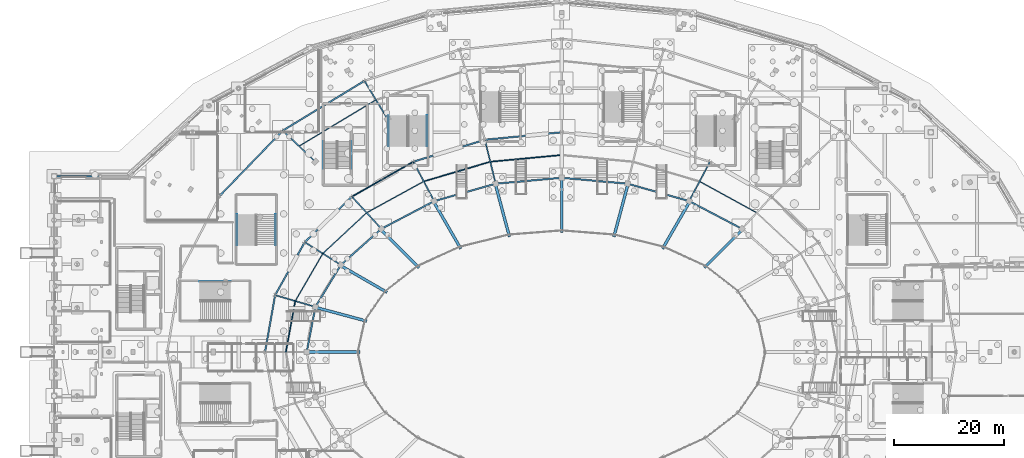
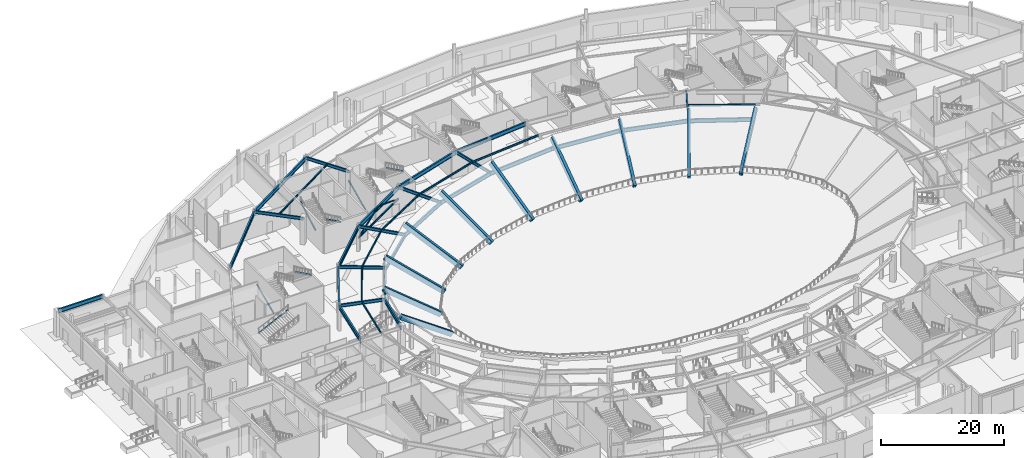
# One storey, part 35 of 93: 45 beams, 9 members.
"""IFC4 building model written with IfcOpenShell, lengths in metres."""

from ifc_helpers import new_model, si_unit, direction, frame, origin, origin_2d, place, context, subcontext, project, spatial, rectangle, hollow_circle, i_section, extrude, material, material_profile, profile_set, type_object, element, save


model = new_model("IFC4")

# Units and contexts
model_context = context("Model", 3, precision=1e-05, world=origin(), true_north=direction((0.0, 1.0)))
body_context = subcontext(model_context, "Body", "Model", "MODEL_VIEW")
ifc_project = project(units=[si_unit("LENGTHUNIT", "METRE"), si_unit("AREAUNIT", "SQUARE_METRE"), si_unit("VOLUMEUNIT", "CUBIC_METRE"), si_unit("PLANEANGLEUNIT", "RADIAN"), si_unit("MASSUNIT", "GRAM", prefix="KILO")], contexts=[model_context])

# Site, building, storey
site_placement = place(None, origin())
site = spatial("IfcSite", under=ifc_project, at=site_placement, CompositionType="ELEMENT")
building_placement = place(site_placement, origin())
building = spatial("IfcBuilding", under=site, at=building_placement, Name="Kalgoora Escarpment Arena", CompositionType="ELEMENT")
storey_placement = place(building_placement, origin())
storey = spatial("IfcBuildingStorey", under=building, at=storey_placement, Name="L00", CompositionType="ELEMENT", Elevation=0.0)

# Beams
ifc_material_1 = material(Name="Structural steel AS/NZS 3679 (300 MPa)", Category="steel")
ifc_material_profile_1 = material_profile(ifc_material_1, i_section(OverallWidth=0.1708984375, OverallDepth=0.35205078125, WebThickness=0.0068359375, FlangeThickness=0.009765625, at=origin_2d()))
ifc_profile_set_1 = profile_set([ifc_material_profile_1], Name="Structural steel AS/NZS 3679 (300 MPa)")
beam_type_1 = type_object("IfcBeamType", Name="BM-BEAM-360UB44.7", PredefinedType="BEAM", material=ifc_profile_set_1)
beam_1_placement = place(storey_placement, frame((65.39990234375, 98.64111328125, 2.52392578125), z_axis=(-0.869369098708, -0.494163303182, 0.0), x_axis=(0.494163303182, -0.869369098708, 0.0)))
element("IfcBeam", 1, at=beam_1_placement, inside=storey, type_object=beam_type_1, Name="L00 Portal brace collector beam 360UB44.7", PredefinedType="BEAM", context=body_context, shape_type="SweptSolid", body=[
    extrude(i_section(OverallWidth=0.1708984375, OverallDepth=0.35205078125, WebThickness=0.0068359375, FlangeThickness=0.009765625, at=origin_2d()), origin(), (0.0, 0.0, 1.0), 12.864013671875),
])
ifc_material_2 = material(Name="Structural steel AS/NZS 3679 (300 MPa)", Category="steel")
ifc_material_profile_2 = material_profile(ifc_material_2, i_section(OverallWidth=0.172119140625, OverallDepth=0.35888671875, WebThickness=0.008056640625, FlangeThickness=0.012939453125, at=origin_2d()))
ifc_profile_set_2 = profile_set([ifc_material_profile_2], Name="Structural steel AS/NZS 3679 (300 MPa)")
beam_type_2 = type_object("IfcBeamType", Name="BM-BEAM-360UB56.7", PredefinedType="BEAM", material=ifc_profile_set_2)
beam_2_placement = place(storey_placement, frame((127.900390625, 89.35693359375, 4.9404296875), z_axis=(-0.87693223227, 0.480614044744, 0.0), x_axis=(-0.480614044744, -0.87693223227, 0.0)))
element("IfcBeam", 2, at=beam_2_placement, inside=storey, type_object=beam_type_2, Name="L00 Concourse secondary ring beam 360UB56.7", PredefinedType="BEAM", context=body_context, shape_type="SweptSolid", body=[
    extrude(i_section(OverallWidth=0.172119140625, OverallDepth=0.35888671875, WebThickness=0.008056640625, FlangeThickness=0.012939453125, at=origin_2d()), origin(), (0.0, 0.0, 1.0), 11.857177734375),
])
beam_3_placement = place(storey_placement, frame((92.39990234375, 99.860107421875, 4.9404296875), z_axis=(-0.995605767353, -0.093643771891, 0.0), x_axis=(0.093643771891, -0.995605767353, 0.0)))
element("IfcBeam", 3, at=beam_3_placement, inside=storey, type_object=beam_type_2, Name="L00 Concourse secondary ring beam 360UB56.7", PredefinedType="BEAM", context=body_context, shape_type="SweptSolid", body=[
    extrude(i_section(OverallWidth=0.172119140625, OverallDepth=0.35888671875, WebThickness=0.008056640625, FlangeThickness=0.012939453125, at=origin_2d()), origin(), (0.0, 0.0, 1.0), 13.05126953125),
])
beam_4_placement = place(storey_placement, frame((79.406005859375, 98.637939453125, 4.950439453125), z_axis=(-0.958914478104, -0.283695300775, 0.0), x_axis=(0.283695300775, -0.958914478104, 0.0)))
element("IfcBeam", 4, at=beam_4_placement, inside=storey, type_object=beam_type_2, Name="L00 Concourse secondary ring beam 360UB56.7", PredefinedType="BEAM", context=body_context, shape_type="SweptSolid", body=[
    extrude(i_section(OverallWidth=0.172119140625, OverallDepth=0.35888671875, WebThickness=0.008056640625, FlangeThickness=0.012939453125, at=origin_2d()), origin(), (0.0, 0.0, 1.0), 12.627197265625),
])
beam_5_placement = place(storey_placement, frame((67.297607421875, 95.0556640625, 4.950439453125), z_axis=(-0.87693223227, -0.480614044744, 0.0), x_axis=(0.480614044744, -0.87693223227, 0.0)))
element("IfcBeam", 5, at=beam_5_placement, inside=storey, type_object=beam_type_2, Name="L00 Concourse secondary ring beam 360UB56.7", PredefinedType="BEAM", context=body_context, shape_type="SweptSolid", body=[
    extrude(i_section(OverallWidth=0.172119140625, OverallDepth=0.35888671875, WebThickness=0.008056640625, FlangeThickness=0.012939453125, at=origin_2d()), origin(), (0.0, 0.0, 1.0), 11.857177734375),
])
beam_6_placement = place(storey_placement, frame((58.60009765625, 109.8994140625, 4.950439453125), z_axis=(-0.856889805315, -0.515499623227, 0.0), x_axis=(0.515499623227, -0.856889805315, 0.0)))
element("IfcBeam", 6, at=beam_6_placement, inside=storey, type_object=beam_type_2, Name="L00 Concourse secondary ring beam 360UB56.7", PredefinedType="BEAM", context=body_context, shape_type="SweptSolid", body=[
    extrude(i_section(OverallWidth=0.172119140625, OverallDepth=0.35888671875, WebThickness=0.008056640625, FlangeThickness=0.012939453125, at=origin_2d()), origin(), (0.0, 0.0, 1.0), 16.338623046875),
])
beam_7_placement = place(storey_placement, frame((56.899658203125, 89.35693359375, 4.950439453125), z_axis=(-0.731952134081, -0.681356054801, 0.0), x_axis=(0.681356054801, -0.731952134081, 0.0)))
element("IfcBeam", 7, at=beam_7_placement, inside=storey, type_object=beam_type_2, Name="L00 Concourse secondary ring beam 360UB56.7", PredefinedType="BEAM", context=body_context, shape_type="SweptSolid", body=[
    extrude(i_section(OverallWidth=0.172119140625, OverallDepth=0.35888671875, WebThickness=0.008056640625, FlangeThickness=0.012939453125, at=origin_2d()), origin(), (0.0, 0.0, 1.0), 10.900390625),
])
beam_8_placement = place(storey_placement, frame((48.921142578125, 81.929931640625, 4.950439453125), z_axis=(-0.501654133754, -0.865068280593, 0.0), x_axis=(0.865068280593, -0.501654133754, 0.0)))
element("IfcBeam", 8, at=beam_8_placement, inside=storey, type_object=beam_type_2, Name="L00 Concourse secondary ring beam 360UB56.7", PredefinedType="BEAM", context=body_context, shape_type="SweptSolid", body=[
    extrude(i_section(OverallWidth=0.172119140625, OverallDepth=0.35888671875, WebThickness=0.008056640625, FlangeThickness=0.012939453125, at=origin_2d()), origin(), (0.0, 0.0, 1.0), 9.997802734375),
])
beam_9_placement = place(storey_placement, frame((43.90576171875, 73.28125, 4.950439453125), z_axis=(-0.181263825147, -0.983434505035, 0.0), x_axis=(0.983434505035, -0.181263825147, 0.0)))
element("IfcBeam", 9, at=beam_9_placement, inside=storey, type_object=beam_type_2, Name="L00 Concourse secondary ring beam 360UB56.7", PredefinedType="BEAM", context=body_context, shape_type="SweptSolid", body=[
    extrude(i_section(OverallWidth=0.172119140625, OverallDepth=0.35888671875, WebThickness=0.008056640625, FlangeThickness=0.012939453125, at=origin_2d()), origin(), (0.0, 0.0, 1.0), 9.4375),
])
ifc_material_3 = material(Name="Structural steel AS/NZS 3679 (300 MPa)", Category="steel")
ifc_material_profile_3 = material_profile(ifc_material_3, i_section(OverallWidth=0.22900390625, OverallDepth=0.612060546875, WebThickness=0.011962890625, FlangeThickness=0.01953125, at=origin_2d()))
ifc_profile_set_3 = profile_set([ifc_material_profile_3], Name="Structural steel AS/NZS 3679 (300 MPa)")
beam_type_3 = type_object("IfcBeamType", Name="BM-GIRDER-610UB125", PredefinedType="USERDEFINED", material=ifc_profile_set_3)
beam_10_placement = place(storey_placement, frame((115.60498046875, 91.47021484375, 4.81396484375), z_axis=(0.467749454329, 0.883861102196, 0.0), x_axis=(-0.883861102196, 0.467749454329, 0.0)))
element("IfcBeam", 10, at=beam_10_placement, inside=storey, type_object=beam_type_3, Name="L00 Radial concourse girder 610UB125", ObjectType="GIRDER", PredefinedType="USERDEFINED", context=body_context, shape_type="SweptSolid", body=[
    extrude(i_section(OverallWidth=0.22900390625, OverallDepth=0.612060546875, WebThickness=0.011962890625, FlangeThickness=0.01953125, at=origin_2d()), origin(), (0.0, 0.0, 1.0), 8.113037109375),
])
beam_11_placement = place(storey_placement, frame((80.38818359375, 94.63916015625, 4.823974609375), z_axis=(-0.238522773309, 0.971136904156, 0.0), x_axis=(-0.971136904156, -0.238522773309, 0.0)))
element("IfcBeam", 11, at=beam_11_placement, inside=storey, type_object=beam_type_3, Name="L00 Radial concourse girder 610UB125", ObjectType="GIRDER", PredefinedType="USERDEFINED", context=body_context, shape_type="SweptSolid", body=[
    extrude(i_section(OverallWidth=0.22900390625, OverallDepth=0.612060546875, WebThickness=0.011962890625, FlangeThickness=0.01953125, at=origin_2d()), origin(), (0.0, 0.0, 1.0), 8.235595703125),
])
beam_12_placement = place(storey_placement, frame((69.195068359375, 91.47021484375, 4.823974609375), z_axis=(-0.467772961987, 0.883848661273, 0.0), x_axis=(-0.883848661273, -0.467772961987, 0.0)))
element("IfcBeam", 12, at=beam_12_placement, inside=storey, type_object=beam_type_3, Name="L00 Radial concourse girder 610UB125", ObjectType="GIRDER", PredefinedType="USERDEFINED", context=body_context, shape_type="SweptSolid", body=[
    extrude(i_section(OverallWidth=0.22900390625, OverallDepth=0.612060546875, WebThickness=0.011962890625, FlangeThickness=0.01953125, at=origin_2d()), origin(), (0.0, 0.0, 1.0), 8.11328125),
])
beam_13_placement = place(storey_placement, frame((60.699951171875, 106.435302734375, 4.823974609375), z_axis=(-0.518407902139, 0.85513346736, 0.0), x_axis=(-0.85513346736, -0.518407902139, 0.0)))
element("IfcBeam", 13, at=beam_13_placement, inside=storey, type_object=beam_type_3, Name="L00 Radial concourse girder 610UB125", ObjectType="GIRDER", PredefinedType="USERDEFINED", context=body_context, shape_type="SweptSolid", body=[
    extrude(i_section(OverallWidth=0.22900390625, OverallDepth=0.612060546875, WebThickness=0.011962890625, FlangeThickness=0.01953125, at=origin_2d()), origin(), (0.0, 0.0, 1.0), 8.1015625),
])
beam_14_placement = place(storey_placement, frame((59.583251953125, 86.429443359375, 4.823974609375), z_axis=(-0.675731588221, 0.737147760412, 0.0), x_axis=(-0.737147760412, -0.675731588221, 0.0)))
element("IfcBeam", 14, at=beam_14_placement, inside=storey, type_object=beam_type_3, Name="L00 Radial concourse girder 610UB125", ObjectType="GIRDER", PredefinedType="USERDEFINED", context=body_context, shape_type="SweptSolid", body=[
    extrude(i_section(OverallWidth=0.22900390625, OverallDepth=0.612060546875, WebThickness=0.011962890625, FlangeThickness=0.01953125, at=origin_2d()), origin(), (0.0, 0.0, 1.0), 7.9423828125),
])
beam_15_placement = place(storey_placement, frame((47.5693359375, 98.648193359375, 4.823974609375), z_axis=(-0.724130144905, 0.689663347757, 0.0), x_axis=(-0.689663347757, -0.724130144905, 0.0)))
element("IfcBeam", 15, at=beam_15_placement, inside=storey, type_object=beam_type_3, Name="L00 Radial concourse girder 610UB125", ObjectType="GIRDER", PredefinedType="USERDEFINED", context=body_context, shape_type="SweptSolid", body=[
    extrude(i_section(OverallWidth=0.22900390625, OverallDepth=0.612060546875, WebThickness=0.011962890625, FlangeThickness=0.01953125, at=origin_2d()), origin(), (0.0, 0.0, 1.0), 8.20263671875),
])
beam_16_placement = place(storey_placement, frame((52.207763671875, 79.860107421875, 4.823974609375), z_axis=(-0.846164080711, 0.532922460133, 0.0), x_axis=(-0.532922460133, -0.846164080711, 0.0)))
element("IfcBeam", 16, at=beam_16_placement, inside=storey, type_object=beam_type_3, Name="L00 Radial concourse girder 610UB125", ObjectType="GIRDER", PredefinedType="USERDEFINED", context=body_context, shape_type="SweptSolid", body=[
    extrude(i_section(OverallWidth=0.22900390625, OverallDepth=0.612060546875, WebThickness=0.011962890625, FlangeThickness=0.01953125, at=origin_2d()), origin(), (0.0, 0.0, 1.0), 7.768310546875),
])
beam_17_placement = place(storey_placement, frame((47.5712890625, 72.209716796875, 4.823974609375), z_axis=(-0.959831929539, 0.280575599504, 0.0), x_axis=(-0.280575599504, -0.959831929539, 0.0)))
element("IfcBeam", 17, at=beam_17_placement, inside=storey, type_object=beam_type_3, Name="L00 Radial concourse girder 610UB125", ObjectType="GIRDER", PredefinedType="USERDEFINED", context=body_context, shape_type="SweptSolid", body=[
    extrude(i_section(OverallWidth=0.22900390625, OverallDepth=0.612060546875, WebThickness=0.011962890625, FlangeThickness=0.01953125, at=origin_2d()), origin(), (0.0, 0.0, 1.0), 7.63818359375),
])
ifc_material_4 = material(Name="Structural steel AS/NZS 3679 (300 MPa)", Category="steel")
ifc_material_profile_4 = material_profile(ifc_material_4, i_section(OverallWidth=0.27490234375, OverallDepth=0.800048828125, WebThickness=0.011962890625, FlangeThickness=0.02197265625, at=origin_2d()))
ifc_profile_set_4 = profile_set([ifc_material_profile_4], Name="Structural steel AS/NZS 3679 (300 MPa)")
beam_type_4 = type_object("IfcBeamType", Name="BM-GIRDER-800WB168", PredefinedType="USERDEFINED", material=ifc_profile_set_4)
beam_18_placement = place(storey_placement, frame((125.216796875, 86.429443359375, 4.719970703125), z_axis=(-0.88560380316, 0.464441496669, 0.0), x_axis=(-0.464441496669, -0.88560380316, 0.0)))
element("IfcBeam", 18, at=beam_18_placement, inside=storey, type_object=beam_type_4, Name="L00 Circumferential concourse girder RMID 800WB168", ObjectType="GIRDER", PredefinedType="USERDEFINED", context=body_context, shape_type="SweptSolid", body=[
    extrude(i_section(OverallWidth=0.27490234375, OverallDepth=0.800048828125, WebThickness=0.011962890625, FlangeThickness=0.02197265625, at=origin_2d()), origin(), (0.0, 0.0, 1.0), 10.853515625),
])
beam_19_placement = place(storey_placement, frame((115.60498046875, 91.47021484375, 4.719970703125), z_axis=(-0.962181658824, 0.272408618482, 0.0), x_axis=(-0.272408618482, -0.962181658824, 0.0)))
element("IfcBeam", 19, at=beam_19_placement, inside=storey, type_object=beam_type_4, Name="L00 Circumferential concourse girder RMID 800WB168", ObjectType="GIRDER", PredefinedType="USERDEFINED", context=body_context, shape_type="SweptSolid", body=[
    extrude(i_section(OverallWidth=0.27490234375, OverallDepth=0.800048828125, WebThickness=0.011962890625, FlangeThickness=0.02197265625, at=origin_2d()), origin(), (0.0, 0.0, 1.0), 11.633056640625),
])
beam_20_placement = place(storey_placement, frame((104.411865234375, 94.63916015625, 4.719970703125), z_axis=(-0.995976408486, 0.089615811881, 0.0), x_axis=(-0.089615811881, -0.995976408486, 0.0)))
element("IfcBeam", 20, at=beam_20_placement, inside=storey, type_object=beam_type_4, Name="L00 Circumferential concourse girder RMID 800WB168", ObjectType="GIRDER", PredefinedType="USERDEFINED", context=body_context, shape_type="SweptSolid", body=[
    extrude(i_section(OverallWidth=0.27490234375, OverallDepth=0.800048828125, WebThickness=0.011962890625, FlangeThickness=0.02197265625, at=origin_2d()), origin(), (0.0, 0.0, 1.0), 12.060546875),
])
beam_21_placement = place(storey_placement, frame((92.39990234375, 95.719970703125, 4.719970703125), z_axis=(-0.99597624591, -0.089617618712, 0.0), x_axis=(0.089617618712, -0.99597624591, 0.0)))
element("IfcBeam", 21, at=beam_21_placement, inside=storey, type_object=beam_type_4, Name="L00 Circumferential concourse girder RMID 800WB168", ObjectType="GIRDER", PredefinedType="USERDEFINED", context=body_context, shape_type="SweptSolid", body=[
    extrude(i_section(OverallWidth=0.27490234375, OverallDepth=0.800048828125, WebThickness=0.011962890625, FlangeThickness=0.02197265625, at=origin_2d()), origin(), (0.0, 0.0, 1.0), 12.060302734375),
])
beam_22_placement = place(storey_placement, frame((92.39990234375, 104.0, 4.719970703125), z_axis=(-0.995277952766, -0.097065940158, 0.0), x_axis=(0.097065940158, -0.995277952766, 0.0)))
element("IfcBeam", 22, at=beam_22_placement, inside=storey, type_object=beam_type_4, Name="L00 Circumferential concourse girder RMAIN 800WB168", ObjectType="GIRDER", PredefinedType="USERDEFINED", context=body_context, shape_type="SweptSolid", body=[
    extrude(i_section(OverallWidth=0.27490234375, OverallDepth=0.800048828125, WebThickness=0.011962890625, FlangeThickness=0.02197265625, at=origin_2d()), origin(), (0.0, 0.0, 1.0), 14.04248046875),
])
beam_23_placement = place(storey_placement, frame((80.38818359375, 94.63916015625, 4.72998046875), z_axis=(-0.962181658824, -0.272408618482, 0.0), x_axis=(0.272408618482, -0.962181658824, 0.0)))
element("IfcBeam", 23, at=beam_23_placement, inside=storey, type_object=beam_type_4, Name="L00 Circumferential concourse girder RMID 800WB168", ObjectType="GIRDER", PredefinedType="USERDEFINED", context=body_context, shape_type="SweptSolid", body=[
    extrude(i_section(OverallWidth=0.27490234375, OverallDepth=0.800048828125, WebThickness=0.011962890625, FlangeThickness=0.02197265625, at=origin_2d()), origin(), (0.0, 0.0, 1.0), 11.633056640625),
])
beam_24_placement = place(storey_placement, frame((78.423828125, 102.636962890625, 4.72998046875), z_axis=(-0.956016223512, -0.293313791666, 0.0), x_axis=(0.293313791666, -0.956016223512, 0.0)))
element("IfcBeam", 24, at=beam_24_placement, inside=storey, type_object=beam_type_4, Name="L00 Circumferential concourse girder RMAIN 800WB168", ObjectType="GIRDER", PredefinedType="USERDEFINED", context=body_context, shape_type="SweptSolid", body=[
    extrude(i_section(OverallWidth=0.27490234375, OverallDepth=0.800048828125, WebThickness=0.011962890625, FlangeThickness=0.02197265625, at=origin_2d()), origin(), (0.0, 0.0, 1.0), 13.623046875),
])
beam_25_placement = place(storey_placement, frame((69.195068359375, 91.47021484375, 4.72998046875), z_axis=(-0.88560380316, -0.464441496669, 0.0), x_axis=(0.464441496669, -0.88560380316, 0.0)))
element("IfcBeam", 25, at=beam_25_placement, inside=storey, type_object=beam_type_4, Name="L00 Circumferential concourse girder RMID 800WB168", ObjectType="GIRDER", PredefinedType="USERDEFINED", context=body_context, shape_type="SweptSolid", body=[
    extrude(i_section(OverallWidth=0.27490234375, OverallDepth=0.800048828125, WebThickness=0.011962890625, FlangeThickness=0.02197265625, at=origin_2d()), origin(), (0.0, 0.0, 1.0), 10.853515625),
])
beam_26_placement = place(storey_placement, frame((65.39990234375, 98.64111328125, 4.72998046875), z_axis=(-0.869369098708, -0.494163303182, 0.0), x_axis=(0.494163303182, -0.869369098708, 0.0)))
element("IfcBeam", 26, at=beam_26_placement, inside=storey, type_object=beam_type_4, Name="L00 Circumferential concourse girder RMAIN 800WB168", ObjectType="GIRDER", PredefinedType="USERDEFINED", context=body_context, shape_type="SweptSolid", body=[
    extrude(i_section(OverallWidth=0.27490234375, OverallDepth=0.800048828125, WebThickness=0.011962890625, FlangeThickness=0.02197265625, at=origin_2d()), origin(), (0.0, 0.0, 1.0), 12.864013671875),
])
beam_27_placement = place(storey_placement, frame((59.583251953125, 86.429443359375, 4.72998046875), z_axis=(-0.746737965203, -0.665118343849, 0.0), x_axis=(0.665118343849, -0.746737965203, 0.0)))
element("IfcBeam", 27, at=beam_27_placement, inside=storey, type_object=beam_type_4, Name="L00 Circumferential concourse girder RMID 800WB168", ObjectType="GIRDER", PredefinedType="USERDEFINED", context=body_context, shape_type="SweptSolid", body=[
    extrude(i_section(OverallWidth=0.27490234375, OverallDepth=0.800048828125, WebThickness=0.011962890625, FlangeThickness=0.02197265625, at=origin_2d()), origin(), (0.0, 0.0, 1.0), 9.876953125),
])
beam_28_placement = place(storey_placement, frame((54.21630859375, 92.2841796875, 4.72998046875), z_axis=(-0.719471992915, -0.694521454968, 0.0), x_axis=(0.694521454968, -0.719471992915, 0.0)))
element("IfcBeam", 28, at=beam_28_placement, inside=storey, type_object=beam_type_4, Name="L00 Circumferential concourse girder RMAIN 800WB168", ObjectType="GIRDER", PredefinedType="USERDEFINED", context=body_context, shape_type="SweptSolid", body=[
    extrude(i_section(OverallWidth=0.27490234375, OverallDepth=0.800048828125, WebThickness=0.011962890625, FlangeThickness=0.02197265625, at=origin_2d()), origin(), (0.0, 0.0, 1.0), 11.927978515625),
])
beam_29_placement = place(storey_placement, frame((52.207763671875, 79.860107421875, 4.72998046875), z_axis=(-0.518291433659, -0.855204063248, 0.0), x_axis=(0.855204063248, -0.518291433659, 0.0)))
element("IfcBeam", 29, at=beam_29_placement, inside=storey, type_object=beam_type_4, Name="L00 Circumferential concourse girder RMID 800WB168", ObjectType="GIRDER", PredefinedType="USERDEFINED", context=body_context, shape_type="SweptSolid", body=[
    extrude(i_section(OverallWidth=0.27490234375, OverallDepth=0.800048828125, WebThickness=0.011962890625, FlangeThickness=0.02197265625, at=origin_2d()), origin(), (0.0, 0.0, 1.0), 8.94580078125),
])
beam_30_placement = place(storey_placement, frame((45.634521484375, 84.0, 4.72998046875), z_axis=(-0.488058469962, -0.872810935941, 0.0), x_axis=(0.872810935941, -0.488058469962, 0.0)))
element("IfcBeam", 30, at=beam_30_placement, inside=storey, type_object=beam_type_4, Name="L00 Circumferential concourse girder RMAIN 800WB168", ObjectType="GIRDER", PredefinedType="USERDEFINED", context=body_context, shape_type="SweptSolid", body=[
    extrude(i_section(OverallWidth=0.27490234375, OverallDepth=0.800048828125, WebThickness=0.011962890625, FlangeThickness=0.02197265625, at=origin_2d()), origin(), (0.0, 0.0, 1.0), 11.052978515625),
])
beam_31_placement = place(storey_placement, frame((47.5712890625, 72.209716796875, 4.72998046875), z_axis=(-0.189136565421, -0.981950792871, 0.0), x_axis=(0.981950792871, -0.189136565421, 0.0)))
element("IfcBeam", 31, at=beam_31_placement, inside=storey, type_object=beam_type_4, Name="L00 Circumferential concourse girder RMID 800WB168", ObjectType="GIRDER", PredefinedType="USERDEFINED", context=body_context, shape_type="SweptSolid", body=[
    extrude(i_section(OverallWidth=0.27490234375, OverallDepth=0.800048828125, WebThickness=0.011962890625, FlangeThickness=0.02197265625, at=origin_2d()), origin(), (0.0, 0.0, 1.0), 8.360595703125),
])
beam_32_placement = place(storey_placement, frame((40.239990234375, 74.352783203125, 4.72998046875), z_axis=(-0.174995823084, -0.984569175784, 0.0), x_axis=(0.984569175784, -0.174995823084, 0.0)))
element("IfcBeam", 32, at=beam_32_placement, inside=storey, type_object=beam_type_4, Name="L00 Circumferential concourse girder RMAIN 800WB168", ObjectType="GIRDER", PredefinedType="USERDEFINED", context=body_context, shape_type="SweptSolid", body=[
    extrude(i_section(OverallWidth=0.27490234375, OverallDepth=0.800048828125, WebThickness=0.011962890625, FlangeThickness=0.02197265625, at=origin_2d()), origin(), (0.0, 0.0, 1.0), 10.51513671875),
])
ifc_material_5 = material(Name="Precast concrete N50 (fc' 50 MPa)", Category="concrete")
ifc_material_profile_5 = material_profile(ifc_material_5, rectangle(XDim=0.5, YDim=0.949951171875, at=origin_2d()))
ifc_profile_set_5 = profile_set([ifc_material_profile_5], Name="Precast concrete N50 (fc' 50 MPa)")
beam_type_5 = type_object("IfcBeamType", Name="BM-RAKER-LOW", PredefinedType="USERDEFINED", material=ifc_profile_set_5)
for number, where, z_axis, x_axis, name in (
    (33, (118.56298828125, 79.556396484375, 0.25), (0.578443885018, 0.578423081426, 0.575177721021), (-0.707094065383, 0.707119496762, 0.0), "Lower bowl precast RAKER girder R04"),
    (34, (110.89990234375, 83.052490234375, 0.25), (0.409015057047, 0.708437961075, 0.575171573025), (-0.866026351547, 0.499998358424, 0.0), "Lower bowl precast RAKER girder R05"),
):
    element("IfcBeam", number, at=place(storey_placement, frame(where, z_axis=z_axis, x_axis=x_axis)), inside=storey, type_object=beam_type_5, Name=name, ObjectType="GIRDER", PredefinedType="USERDEFINED", context=body_context, shape_type="SweptSolid", body=[
        extrude(rectangle(XDim=0.5, YDim=0.949951171875, at=origin_2d()), origin(), (0.0, 0.0, 1.0), 11.735595703125),
    ])
beam_33_placement = place(storey_placement, frame((101.976318359375, 85.25048828125, 0.25), z_axis=(0.211720576058, 0.790150260319, 0.575184286809), x_axis=(-0.96592568818, 0.258819560533, 0.0)))
element("IfcBeam", 35, at=beam_33_placement, inside=storey, type_object=beam_type_5, Name="Lower bowl precast RAKER girder R06", ObjectType="GIRDER", PredefinedType="USERDEFINED", context=body_context, shape_type="SweptSolid", body=[
    extrude(rectangle(XDim=0.5, YDim=0.949951171875, at=origin_2d()), origin(), (0.0, 0.0, 1.0), 11.7353515625),
])
beam_34_placement = place(storey_placement, frame((92.39990234375, 86.0, 0.25), z_axis=(0.0, 0.81803191132, 0.575172836686), x_axis=(-1.0, 0.0, 0.0)))
element("IfcBeam", 36, at=beam_34_placement, inside=storey, type_object=beam_type_5, Name="Lower bowl precast RAKER girder R07", ObjectType="GIRDER", PredefinedType="USERDEFINED", context=body_context, shape_type="SweptSolid", body=[
    extrude(rectangle(XDim=0.5, YDim=0.949951171875, at=origin_2d()), origin(), (0.0, 0.0, 1.0), 11.735595703125),
])
beam_35_placement = place(storey_placement, frame((82.82373046875, 85.25048828125, 0.25), z_axis=(-0.211720576058, 0.790150260319, 0.575184286809), x_axis=(-0.96592568818, -0.258819560533, 0.0)))
element("IfcBeam", 37, at=beam_35_placement, inside=storey, type_object=beam_type_5, Name="Lower bowl precast RAKER girder R08", ObjectType="GIRDER", PredefinedType="USERDEFINED", context=body_context, shape_type="SweptSolid", body=[
    extrude(rectangle(XDim=0.5, YDim=0.949951171875, at=origin_2d()), origin(), (0.0, 0.0, 1.0), 11.7353515625),
])
for number, where, z_axis, x_axis, name in (
    (38, (73.89990234375, 83.052490234375, 0.25), (-0.408997733721, 0.70844398902, 0.575176467036), (-0.866037363387, -0.499979284789, 0.0), "Lower bowl precast RAKER girder R09"),
    (39, (66.237060546875, 79.556396484375, 0.25), (-0.578443885018, 0.578423081426, 0.575177721021), (-0.707094065383, -0.707119496762, 0.0), "Lower bowl precast RAKER girder R10"),
    (40, (60.357177734375, 75.0, 0.25), (-0.708437961075, 0.409015057047, 0.575171573025), (-0.499998358424, -0.866026351547, 0.0), "Lower bowl precast RAKER girder R11"),
):
    element("IfcBeam", number, at=place(storey_placement, frame(where, z_axis=z_axis, x_axis=x_axis)), inside=storey, type_object=beam_type_5, Name=name, ObjectType="GIRDER", PredefinedType="USERDEFINED", context=body_context, shape_type="SweptSolid", body=[
        extrude(rectangle(XDim=0.5, YDim=0.949951171875, at=origin_2d()), origin(), (0.0, 0.0, 1.0), 11.735595703125),
    ])
for number, where, z_axis, x_axis, name in (
    (41, (56.66064453125, 69.694091796875, 0.25), (-0.790150260319, 0.211720576058, 0.575184286809), (-0.258819560533, -0.96592568818, 0.0), "Lower bowl precast RAKER girder R12"),
    (42, (55.39990234375, 64.0, 0.25), (-0.81802502888, 0.0, 0.575182625021), (0.0, -1.0, 0.0), "Lower bowl precast RAKER girder R13"),
):
    element("IfcBeam", number, at=place(storey_placement, frame(where, z_axis=z_axis, x_axis=x_axis)), inside=storey, type_object=beam_type_5, Name=name, ObjectType="GIRDER", PredefinedType="USERDEFINED", context=body_context, shape_type="SweptSolid", body=[
        extrude(rectangle(XDim=0.5, YDim=0.949951171875, at=origin_2d()), origin(), (0.0, 0.0, 1.0), 11.7353515625),
    ])
ifc_material_6 = material(Name="Structural steel AS/NZS 3679 (300 MPa)", Category="steel")
ifc_material_profile_6 = material_profile(ifc_material_6, i_section(OverallWidth=0.27490234375, OverallDepth=0.800048828125, WebThickness=0.011962890625, FlangeThickness=0.02197265625, at=origin_2d()))
ifc_profile_set_6 = profile_set([ifc_material_profile_6], Name="Structural steel AS/NZS 3679 (300 MPa)")
beam_type_6 = type_object("IfcBeamType", Name="BM-SPANDREL-800WB168", PredefinedType="SPANDREL", material=ifc_profile_set_6)
beam_36_placement = place(storey_placement, frame((0.0, 96.0, 4.75), z_axis=(1.0, 0.0, 0.0), x_axis=(0.0, 1.0, 0.0)))
element("IfcBeam", 43, at=beam_36_placement, inside=storey, type_object=beam_type_6, Name="L00 Floor girder 800WB168", PredefinedType="SPANDREL", context=body_context, shape_type="SweptSolid", body=[
    extrude(i_section(OverallWidth=0.27490234375, OverallDepth=0.800048828125, WebThickness=0.011962890625, FlangeThickness=0.02197265625, at=origin_2d()), origin(), (0.0, 0.0, 1.0), 8.39990234375),
])
beam_37_placement = place(storey_placement, frame((56.5, 113.36328125, 4.72998046875), z_axis=(-0.854030640858, -0.520222706613, 0.0), x_axis=(0.520222706613, -0.854030640858, 0.0)))
element("IfcBeam", 44, at=beam_37_placement, inside=storey, type_object=beam_type_6, Name="L00 Circumferential concourse girder RCONC2 800WB168", PredefinedType="SPANDREL", context=body_context, shape_type="SweptSolid", body=[
    extrude(i_section(OverallWidth=0.27490234375, OverallDepth=0.800048828125, WebThickness=0.011962890625, FlangeThickness=0.02197265625, at=origin_2d()), origin(), (0.0, 0.0, 1.0), 17.411865234375),
])
beam_38_placement = place(storey_placement, frame((41.629638671875, 104.30517578125, 4.72998046875), z_axis=(-0.694974435465, -0.719034445663, 0.0), x_axis=(0.719034445663, -0.694974435465, 0.0)))
element("IfcBeam", 45, at=beam_38_placement, inside=storey, type_object=beam_type_6, Name="L00 Circumferential concourse girder RCONC2 800WB168", PredefinedType="SPANDREL", context=body_context, shape_type="SweptSolid", body=[
    extrude(i_section(OverallWidth=0.27490234375, OverallDepth=0.800048828125, WebThickness=0.011962890625, FlangeThickness=0.02197265625, at=origin_2d()), origin(), (0.0, 0.0, 1.0), 16.418212890625),
])

# Members
ifc_material_7 = material(Name="Structural steel C350 (350 MPa)", Category="steel")
ifc_material_profile_7 = material_profile(ifc_material_7, hollow_circle(Radius=0.136474609375, WallThickness=0.00927734375, at=origin_2d()))
ifc_profile_set_7 = profile_set([ifc_material_profile_7], Name="Structural steel C350 (350 MPa)")
member_type_1 = type_object("IfcMemberType", Name="MEM-BRACE-CHS273", PredefinedType="BRACE", material=ifc_profile_set_7)
for number, where, z_axis, x_axis, name in (
    (46, (65.39990234375, 98.64111328125, 2.52001953125), (-0.813268084362, -0.462274589168, 0.353408017973), (0.494163303182, -0.869369098708, 0.0), "L00 concentric lateral brace R09-1"),
    (47, (54.21630859375, 92.2841796875, 2.52001953125), (0.813268084362, 0.462274589168, 0.353408017973), (-0.494163303182, 0.869369098708, 0.0), "L00 concentric lateral brace R09-2"),
):
    element("IfcMember", number, at=place(storey_placement, frame(where, z_axis=z_axis, x_axis=x_axis)), inside=storey, type_object=member_type_1, Name=name, PredefinedType="BRACE", context=body_context, shape_type="SweptSolid", body=[
        extrude(hollow_circle(Radius=0.136474609375, WallThickness=0.00927734375, at=origin_2d()), origin(), (0.0, 0.0, 1.0), 6.875732421875),
    ])
ifc_material_8 = material(Name="Structural steel AS/NZS 3679 (300 MPa)", Category="steel")
ifc_material_profile_8 = material_profile(ifc_material_8, i_section(OverallWidth=0.090087890625, OverallDepth=0.300048828125, WebThickness=0.008056640625, FlangeThickness=0.01611328125, at=origin_2d()))
ifc_profile_set_8 = profile_set([ifc_material_profile_8], Name="Structural steel AS/NZS 3679 (300 MPa)")
member_type_2 = type_object("IfcMemberType", Name="MEM-STRINGER-PFC", PredefinedType="STRINGER", material=ifc_profile_set_8)
member_1_placement = place(storey_placement, frame((53.929931640625, 102.31005859375, 0.219970703125), z_axis=(0.0, -0.89552873601, 0.445003688727), x_axis=(1.0, 0.0, 0.0)))
element("IfcMember", 48, at=member_1_placement, inside=storey, type_object=member_type_2, Name="ST03 L00 steel stair stringer 1", PredefinedType="STRINGER", context=body_context, shape_type="SweptSolid", body=[
    extrude(i_section(OverallWidth=0.090087890625, OverallDepth=0.300048828125, WebThickness=0.008056640625, FlangeThickness=0.01611328125, at=origin_2d()), origin(), (0.0, 0.0, 1.0), 5.48291015625),
])
member_2_placement = place(storey_placement, frame((49.169921875, 97.39990234375, 2.659912109375), z_axis=(0.0, 0.876245342812, 0.481865229291), x_axis=(-1.0, 0.0, 0.0)))
element("IfcMember", 49, at=member_2_placement, inside=storey, type_object=member_type_2, Name="ST03 L00 steel stair stringer 2", PredefinedType="STRINGER", context=body_context, shape_type="SweptSolid", body=[
    extrude(i_section(OverallWidth=0.090087890625, OverallDepth=0.300048828125, WebThickness=0.008056640625, FlangeThickness=0.01611328125, at=origin_2d()), origin(), (0.0, 0.0, 1.0), 5.603515625),
])
member_3_placement = place(storey_placement, frame((60.8701171875, 101.489990234375, 0.219970703125), z_axis=(0.0, 0.914229045155, 0.405197794904), x_axis=(-1.0, 0.0, 0.0)))
element("IfcMember", 50, at=member_3_placement, inside=storey, type_object=member_type_2, Name="ST09 L00 steel stair stringer 1", PredefinedType="STRINGER", context=body_context, shape_type="SweptSolid", body=[
    extrude(i_section(OverallWidth=0.090087890625, OverallDepth=0.300048828125, WebThickness=0.008056640625, FlangeThickness=0.01611328125, at=origin_2d()), origin(), (0.0, 0.0, 1.0), 6.021484375),
])
for number, where, z_axis, x_axis, name in (
    (51, (67.929931640625, 106.9951171875, 2.659912109375), (0.0, -0.897817331148, 0.440368073196), (1.0, 0.0, 0.0), "ST09 L00 steel stair stringer 2"),
    (52, (26.60498046875, 76.830078125, 2.659912109375), (0.897817331148, 0.0, 0.440368073196), (0.0, 1.0, 0.0), "ST17 L00 steel stair stringer 2"),
):
    element("IfcMember", number, at=place(storey_placement, frame(where, z_axis=z_axis, x_axis=x_axis)), inside=storey, type_object=member_type_2, Name=name, PredefinedType="STRINGER", context=body_context, shape_type="SweptSolid", body=[
        extrude(i_section(OverallWidth=0.090087890625, OverallDepth=0.300048828125, WebThickness=0.008056640625, FlangeThickness=0.01611328125, at=origin_2d()), origin(), (0.0, 0.0, 1.0), 6.131591796875),
    ])
member_4_placement = place(storey_placement, frame((33.27001953125, 83.489990234375, 0.219970703125), z_axis=(0.0, 0.914229045155, 0.405197794904), x_axis=(-1.0, 0.0, 0.0)))
element("IfcMember", 53, at=member_4_placement, inside=storey, type_object=member_type_2, Name="ST19 L00 steel stair stringer 1", PredefinedType="STRINGER", context=body_context, shape_type="SweptSolid", body=[
    extrude(i_section(OverallWidth=0.090087890625, OverallDepth=0.300048828125, WebThickness=0.008056640625, FlangeThickness=0.01611328125, at=origin_2d()), origin(), (0.0, 0.0, 1.0), 6.021484375),
])
member_5_placement = place(storey_placement, frame((40.330078125, 88.9951171875, 2.659912109375), z_axis=(0.0, -0.897817331148, 0.440368073196), x_axis=(1.0, 0.0, 0.0)))
element("IfcMember", 54, at=member_5_placement, inside=storey, type_object=member_type_2, Name="ST19 L00 steel stair stringer 2", PredefinedType="STRINGER", context=body_context, shape_type="SweptSolid", body=[
    extrude(i_section(OverallWidth=0.090087890625, OverallDepth=0.300048828125, WebThickness=0.008056640625, FlangeThickness=0.01611328125, at=origin_2d()), origin(), (0.0, 0.0, 1.0), 6.131591796875),
])

save(model, "model.ifc")
